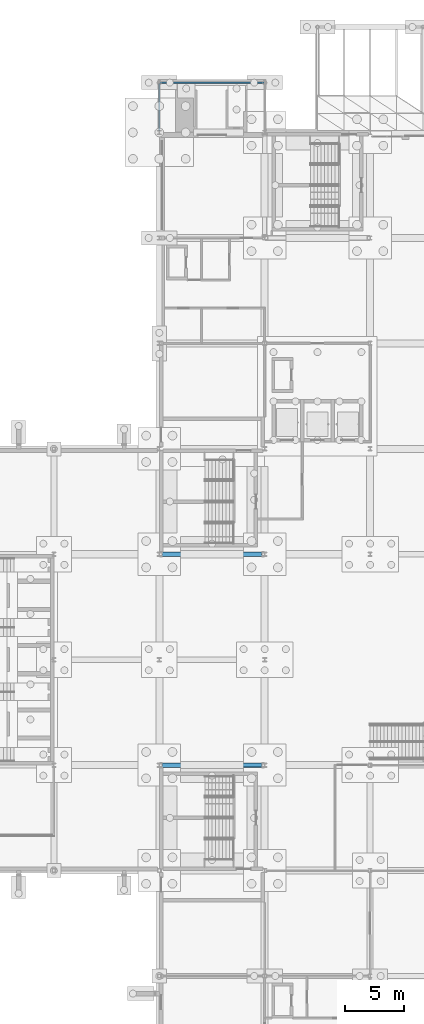
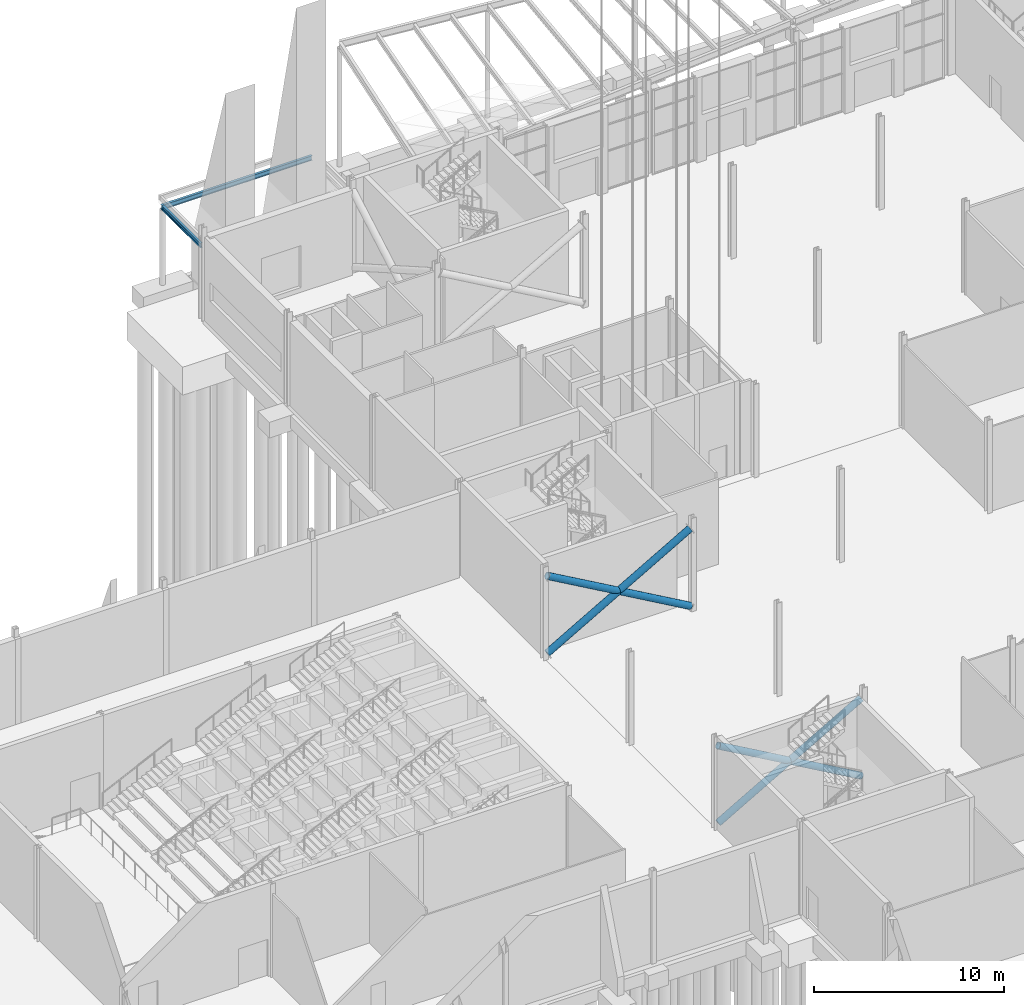
# One storey, part 54 of 139: 4 members, 2 beams.
"""IFC4 building model written with IfcOpenShell, lengths in metres."""

from ifc_helpers import new_model, si_unit, direction, frame, origin, origin_2d, place, context, subcontext, project, spatial, hollow_circle, i_section, extrude, material, material_profile, profile_set, type_object, element, save


model = new_model("IFC4")

# Units and contexts
model_context = context("Model", 3, precision=1e-05, world=origin(), true_north=direction((0.0, 1.0)))
body_context = subcontext(model_context, "Body", "Model", "MODEL_VIEW")
ifc_project = project(units=[si_unit("LENGTHUNIT", "METRE"), si_unit("AREAUNIT", "SQUARE_METRE"), si_unit("VOLUMEUNIT", "CUBIC_METRE"), si_unit("PLANEANGLEUNIT", "RADIAN"), si_unit("MASSUNIT", "GRAM", prefix="KILO")], contexts=[model_context])

# Site, building, storey
site_placement = place(None, origin())
site = spatial("IfcSite", under=ifc_project, at=site_placement, CompositionType="ELEMENT")
building_placement = place(site_placement, origin())
building = spatial("IfcBuilding", under=site, at=building_placement, Name="Shorebreak Coast Museum", CompositionType="ELEMENT")
storey_placement = place(building_placement, origin())
storey = spatial("IfcBuildingStorey", under=building, at=storey_placement, Name="L00", CompositionType="ELEMENT", Elevation=0.0)

# Beams
ifc_material_1 = material(Name="Steel Grade 300", Category="steel")
ifc_material_profile_1 = material_profile(ifc_material_1, i_section(OverallWidth=0.14892578125, OverallDepth=0.298095703125, WebThickness=0.005615234375, FlangeThickness=0.008056640625, FilletRadius=0.012939453125, at=origin_2d()), Name="310UB32.0")
ifc_profile_set_1 = profile_set([ifc_material_profile_1], Name="Steel Grade 300")
beam_type_1 = type_object("IfcBeamType", Name="Arcade edge beam 310UB32.0", PredefinedType="BEAM", material=ifc_profile_set_1)
beam_1_placement = place(storey_placement, frame((53.925537109375, 121.25, 4.65087890625), z_axis=(1.0, 0.0, 0.0), x_axis=(0.0, 1.0, 0.0)))
element("IfcBeam", 1, at=beam_1_placement, inside=storey, type_object=beam_type_1, Name="Arcade edge beam north 1", PredefinedType="BEAM", context=body_context, shape_type="SweptSolid", body=[
    extrude(i_section(OverallWidth=0.14892578125, OverallDepth=0.298095703125, WebThickness=0.005615234375, FlangeThickness=0.008056640625, FilletRadius=0.012939453125, at=origin_2d()), origin(), (0.0, 0.0, 1.0), 9.14892578125),
])
ifc_material_2 = material(Name="Steel Grade 300", Category="steel")
ifc_material_profile_2 = material_profile(ifc_material_2, i_section(OverallWidth=0.14892578125, OverallDepth=0.298095703125, WebThickness=0.005615234375, FlangeThickness=0.008056640625, FilletRadius=0.012939453125, at=origin_2d()), Name="310UB32.0")
ifc_profile_set_2 = profile_set([ifc_material_profile_2], Name="Steel Grade 300")
beam_type_2 = type_object("IfcBeamType", Name="Arcade primary beam 310UB32.0", PredefinedType="BEAM", material=ifc_profile_set_2)
beam_2_placement = place(storey_placement, frame((54.0, 117.16357421875, 4.65087890625), z_axis=(0.0, 1.0, 0.0), x_axis=(-1.0, 0.0, 0.0)))
element("IfcBeam", 2, at=beam_2_placement, inside=storey, type_object=beam_type_2, Name="Arcade primary beam north 1", PredefinedType="BEAM", context=body_context, shape_type="SweptSolid", body=[
    extrude(i_section(OverallWidth=0.14892578125, OverallDepth=0.298095703125, WebThickness=0.005615234375, FlangeThickness=0.008056640625, FilletRadius=0.012939453125, at=origin_2d()), origin(), (0.0, 0.0, 1.0), 4.011962890625),
])

# Members
ifc_material_3 = material(Name="Steel Grade C350L0", Category="steel")
ifc_material_profile_3 = material_profile(ifc_material_3, hollow_circle(Radius=0.203125, WallThickness=0.0126953125, at=origin_2d()), Name="406.4x12.7 CHS")
ifc_profile_set_3 = profile_set([ifc_material_profile_3], Name="Steel Grade C350L0")
member_type = type_object("IfcMemberType", Name="X-brace 406.4x12.7 CHS", PredefinedType="BRACE", material=ifc_profile_set_3)
for number, where, z_axis, x_axis, name in (
    (3, (54.154541015625, 63.0, 0.300048828125), (0.86784825632, 0.0, 0.496829350987), (0.0, 1.0, 0.0), "X-brace bay 01 L00 diagonal 1"),
    (4, (62.844482421875, 63.0, 0.300048828125), (-0.86784825632, 0.0, 0.496829350987), (0.0, -1.0, 0.0), "X-brace bay 01 L00 diagonal 2"),
    (5, (54.154541015625, 81.0, 0.300048828125), (0.86784825632, 0.0, 0.496829350987), (0.0, 1.0, 0.0), "X-brace bay 03 L00 diagonal 1"),
    (6, (62.844482421875, 81.0, 0.300048828125), (-0.86784825632, 0.0, 0.496829350987), (0.0, -1.0, 0.0), "X-brace bay 03 L00 diagonal 2"),
):
    element("IfcMember", number, at=place(storey_placement, frame(where, z_axis=z_axis, x_axis=x_axis)), inside=storey, type_object=member_type, Name=name, PredefinedType="BRACE", context=body_context, shape_type="SweptSolid", body=[
        extrude(hollow_circle(Radius=0.203125, WallThickness=0.0126953125, at=origin_2d()), origin(), (0.0, 0.0, 1.0), 10.01318359375),
    ])

save(model, "model.ifc")
